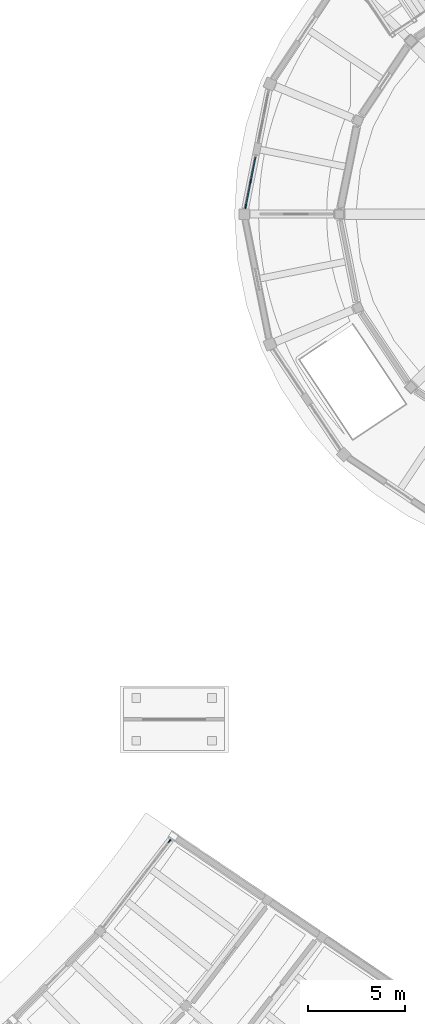
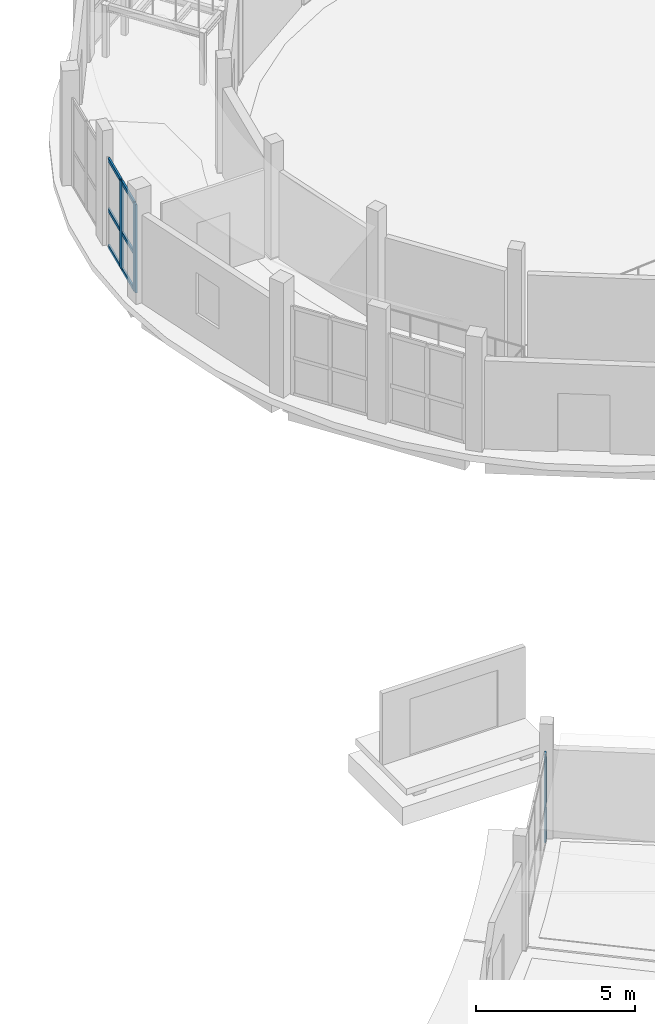
# One storey, part 42 of 92: 9 members, 2 elements without a shape of their own.
"""IFC4 building model written with IfcOpenShell, lengths in metres."""

from ifc_helpers import new_model, si_unit, direction, frame, origin, origin_2d, place, context, subcontext, project, spatial, rectangle, extrude, material, layer, layer_set, material_profile, profile_set, type_object, element, aggregate, save


model = new_model("IFC4")

# Units and contexts
model_context = context("Model", 3, precision=1e-05, world=origin(), true_north=direction((0.0, 1.0)))
body_context = subcontext(model_context, "Body", "Model", "MODEL_VIEW")
ifc_project = project(units=[si_unit("LENGTHUNIT", "METRE"), si_unit("AREAUNIT", "SQUARE_METRE"), si_unit("VOLUMEUNIT", "CUBIC_METRE"), si_unit("PLANEANGLEUNIT", "RADIAN"), si_unit("MASSUNIT", "GRAM", prefix="KILO")], contexts=[model_context])

# Site, building, storey
site_placement = place(None, origin())
site = spatial("IfcSite", under=ifc_project, at=site_placement, CompositionType="ELEMENT")
building_placement = place(site_placement, origin())
building = spatial("IfcBuilding", under=site, at=building_placement, Name="Caldaven Crescent School", CompositionType="ELEMENT")
storey_placement = place(building_placement, origin())
storey = spatial("IfcBuildingStorey", under=building, at=storey_placement, Name="L00", CompositionType="ELEMENT", Elevation=0.0)

# Curtain wall, member
ifc_material_1 = material(Name="Anodised aluminium AA 6063-T6 and low-E double glazing", Category="aluminium")
ifc_layer = layer(ifc_material_1, 0.169921875)
ifc_layer_set = layer_set([ifc_layer], Name="Anodised aluminium AA 6063-T6 and low-E double glazing")
curtain_wall_type = type_object("IfcCurtainWallType", Name="CW-SYS1", PredefinedType="NOTDEFINED", material=ifc_layer_set)
curtain_wall_1_placement = place(storey_placement, origin())
curtain_wall_1 = element("IfcCurtainWall", 1, at=curtain_wall_1_placement, inside=storey, type_object=curtain_wall_type, Name="CW-L00-115", PredefinedType="NOTDEFINED")
ifc_material_2 = material(Name="Anodised aluminium AA 6063-T6", Category="aluminium")
ifc_material_profile_1 = material_profile(ifc_material_2, rectangle(XDim=0.06494140625, YDim=0.179931640625, at=origin_2d()), Name="CWM 65x180")
ifc_profile_set_1 = profile_set([ifc_material_profile_1], Name="Anodised aluminium AA 6063-T6")
member_type_1 = type_object("IfcMemberType", Name="CWM-T2", PredefinedType="MULLION", material=ifc_profile_set_1)
member_1_placement = place(storey_placement, frame((131.159423828125, 66.22900390625, 0.0), z_axis=(0.0, 0.0, 1.0), x_axis=(-0.792103400093, 0.610386929383, 0.0)))
member_1 = element("IfcMember", 2, at=member_1_placement, type_object=member_type_1, Name="CW1 mullion 5", PredefinedType="MULLION", context=body_context, shape_type="SweptSolid", body=[
    extrude(rectangle(XDim=0.06494140625, YDim=0.179931640625, at=origin_2d()), origin(), (0.0, 0.0, 1.0), 3.39990234375),
])
aggregate(curtain_wall_1, [member_1])

# Curtain wall, members
curtain_wall_2_placement = place(storey_placement, origin())
curtain_wall_2 = element("IfcCurtainWall", 3, at=curtain_wall_2_placement, inside=storey, type_object=curtain_wall_type, Name="CW-L00-008", PredefinedType="NOTDEFINED")
ifc_material_profile_2 = material_profile(ifc_material_2, rectangle(XDim=0.070068359375, YDim=0.2099609375, at=origin_2d()), Name="CWM 70x210")
ifc_profile_set_2 = profile_set([ifc_material_profile_2], Name="Anodised aluminium AA 6063-T6")
member_type_2 = type_object("IfcMemberType", Name="CWM-T3", PredefinedType="MULLION", material=ifc_profile_set_2)
member_2_placement = place(storey_placement, frame((135.3330078125, 100.17431640625, 0.0), z_axis=(0.0, 0.0, 1.0), x_axis=(0.980785289392, -0.195090276825, 0.0)))
member_2 = element("IfcMember", 4, at=member_2_placement, type_object=member_type_2, Name="CW1 mullion 2", PredefinedType="MULLION", context=body_context, shape_type="SweptSolid", body=[
    extrude(rectangle(XDim=0.070068359375, YDim=0.2099609375, at=origin_2d()), origin(), (0.0, 0.0, 1.0), 3.39990234375),
])
member_3_placement = place(storey_placement, frame((135.0771484375, 98.887451171875, 0.0), z_axis=(0.0, 0.0, 1.0), x_axis=(0.980785289392, -0.195090276825, 0.0)))
member_3 = element("IfcMember", 5, at=member_3_placement, type_object=member_type_2, Name="CW1 mullion 3", PredefinedType="MULLION", context=body_context, shape_type="SweptSolid", body=[
    extrude(rectangle(XDim=0.070068359375, YDim=0.2099609375, at=origin_2d()), origin(), (0.0, 0.0, 1.0), 3.39990234375),
])
ifc_material_profile_3 = material_profile(ifc_material_2, rectangle(XDim=0.06494140625, YDim=0.139892578125, at=origin_2d()), Name="CWT 65x140")
ifc_profile_set_3 = profile_set([ifc_material_profile_3], Name="Anodised aluminium AA 6063-T6")
member_type_3 = type_object("IfcMemberType", Name="CWT-T2", PredefinedType="USERDEFINED", material=ifc_profile_set_3)
member_4_placement = place(storey_placement, frame((135.582275390625, 101.4267578125, 0.032470703125), z_axis=(-0.19517110689, -0.980769207834, 0.0), x_axis=(0.980769207834, -0.19517110689, 0.0)))
member_4 = element("IfcMember", 6, at=member_4_placement, type_object=member_type_3, Name="CW1 transom 1.1", ObjectType="TRANSOM", PredefinedType="USERDEFINED", context=body_context, shape_type="SweptSolid", body=[
    extrude(rectangle(XDim=0.06494140625, YDim=0.139892578125, at=origin_2d()), origin(), (0.0, 0.0, 1.0), 1.2421875),
])
member_5_placement = place(storey_placement, frame((135.582275390625, 101.4267578125, 1.427978515625), z_axis=(-0.19517110689, -0.980769207834, 0.0), x_axis=(0.980769207834, -0.19517110689, 0.0)))
member_5 = element("IfcMember", 7, at=member_5_placement, type_object=member_type_3, Name="CW1 transom 1.2", ObjectType="TRANSOM", PredefinedType="USERDEFINED", context=body_context, shape_type="SweptSolid", body=[
    extrude(rectangle(XDim=0.06494140625, YDim=0.139892578125, at=origin_2d()), origin(), (0.0, 0.0, 1.0), 1.2421875),
])
member_6_placement = place(storey_placement, frame((135.582275390625, 101.4267578125, 3.367431640625), z_axis=(-0.19517110689, -0.980769207834, 0.0), x_axis=(0.980769207834, -0.19517110689, 0.0)))
member_6 = element("IfcMember", 8, at=member_6_placement, type_object=member_type_3, Name="CW1 transom 1.3", ObjectType="TRANSOM", PredefinedType="USERDEFINED", context=body_context, shape_type="SweptSolid", body=[
    extrude(rectangle(XDim=0.06494140625, YDim=0.139892578125, at=origin_2d()), origin(), (0.0, 0.0, 1.0), 1.2421875),
])
member_7_placement = place(storey_placement, frame((135.326171875, 100.139892578125, 0.032470703125), z_axis=(-0.194982035897, -0.980806813637, 0.0), x_axis=(0.980806813637, -0.194982035897, 0.0)))
member_7 = element("IfcMember", 9, at=member_7_placement, type_object=member_type_3, Name="CW1 transom 2.1", ObjectType="TRANSOM", PredefinedType="USERDEFINED", context=body_context, shape_type="SweptSolid", body=[
    extrude(rectangle(XDim=0.06494140625, YDim=0.139892578125, at=origin_2d()), origin(), (0.0, 0.0, 1.0), 1.2421875),
])
member_8_placement = place(storey_placement, frame((135.326171875, 100.139892578125, 1.427978515625), z_axis=(-0.194982035897, -0.980806813637, 0.0), x_axis=(0.980806813637, -0.194982035897, 0.0)))
member_8 = element("IfcMember", 10, at=member_8_placement, type_object=member_type_3, Name="CW1 transom 2.2", ObjectType="TRANSOM", PredefinedType="USERDEFINED", context=body_context, shape_type="SweptSolid", body=[
    extrude(rectangle(XDim=0.06494140625, YDim=0.139892578125, at=origin_2d()), origin(), (0.0, 0.0, 1.0), 1.2421875),
])
member_9_placement = place(storey_placement, frame((135.326171875, 100.139892578125, 3.367431640625), z_axis=(-0.194982035897, -0.980806813637, 0.0), x_axis=(0.980806813637, -0.194982035897, 0.0)))
member_9 = element("IfcMember", 11, at=member_9_placement, type_object=member_type_3, Name="CW1 transom 2.3", ObjectType="TRANSOM", PredefinedType="USERDEFINED", context=body_context, shape_type="SweptSolid", body=[
    extrude(rectangle(XDim=0.06494140625, YDim=0.139892578125, at=origin_2d()), origin(), (0.0, 0.0, 1.0), 1.2421875),
])
aggregate(curtain_wall_2, [member_2, member_3, member_4, member_5, member_6, member_7, member_8, member_9])

save(model, "model.ifc")
